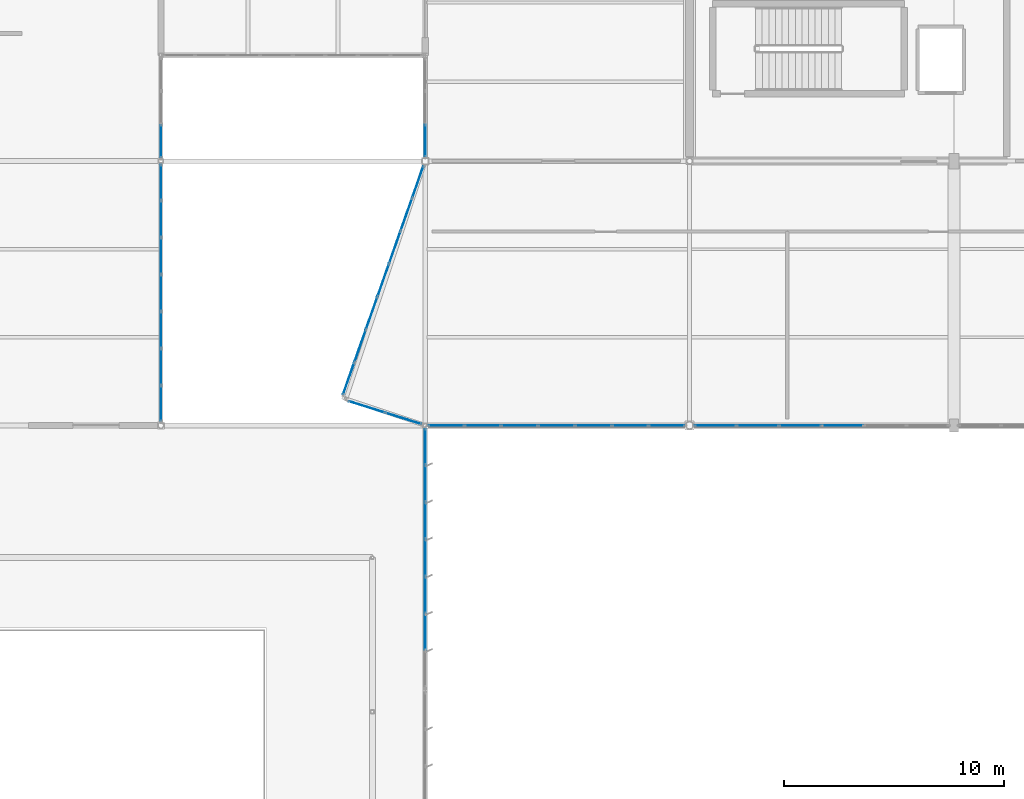
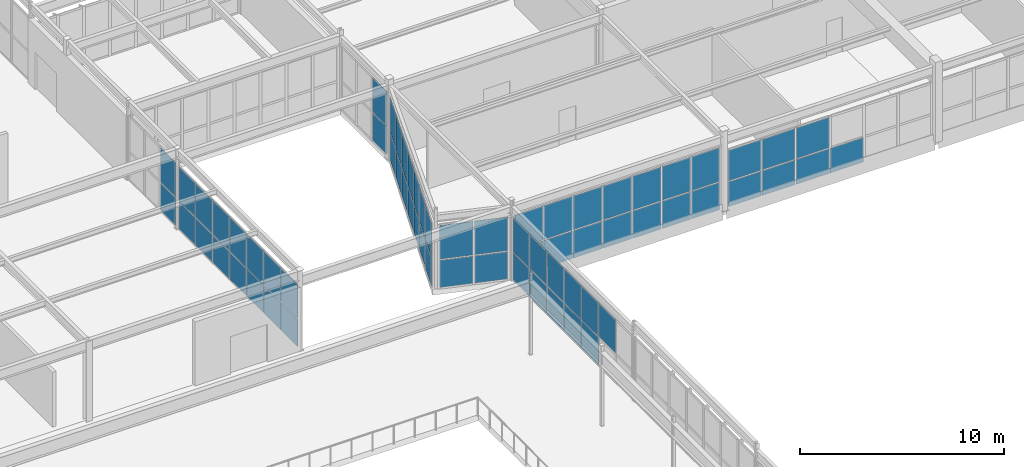
# One storey, part 124 of 186: 68 plates, 8 elements without a shape of their own.
"""IFC4 building model written with IfcOpenShell, lengths in metres."""

from ifc_helpers import new_model, si_unit, direction, frame, origin, origin_2d, place, context, subcontext, project, spatial, rectangle, extrude, material, layer, layer_set, type_object, element, aggregate, save


model = new_model("IFC4")

# Units and contexts
model_context = context("Model", 3, precision=1e-05, world=origin(), true_north=direction((0.0, 1.0)))
body_context = subcontext(model_context, "Body", "Model", "MODEL_VIEW")
ifc_project = project(units=[si_unit("LENGTHUNIT", "METRE"), si_unit("AREAUNIT", "SQUARE_METRE"), si_unit("VOLUMEUNIT", "CUBIC_METRE"), si_unit("PLANEANGLEUNIT", "RADIAN"), si_unit("MASSUNIT", "GRAM", prefix="KILO")], contexts=[model_context])

# Site, building, storey
site_placement = place(None, origin())
site = spatial("IfcSite", under=ifc_project, at=site_placement, CompositionType="ELEMENT")
building_placement = place(site_placement, origin())
building = spatial("IfcBuilding", under=site, at=building_placement, Name="Tarnwether General Hospital", CompositionType="ELEMENT")
storey_placement = place(building_placement, frame((0.0, 0.0, 9.60009765625)))
storey = spatial("IfcBuildingStorey", under=building, at=storey_placement, Name="L02", CompositionType="ELEMENT", Elevation=9.60009765625)

# Curtain wall, plates
ifc_material_1 = material(Name="Anodised aluminium", Category="aluminium")
ifc_layer_1 = layer(ifc_material_1, 0.179931640625)
ifc_layer_set_1 = layer_set([ifc_layer_1], Name="Anodised aluminium")
curtain_wall_type_1 = type_object("IfcCurtainWallType", Name="CW-06", PredefinedType="NOTDEFINED", material=ifc_layer_set_1)
curtain_wall_1_placement = place(storey_placement, origin())
curtain_wall_1 = element("IfcCurtainWall", 1, at=curtain_wall_1_placement, inside=storey, type_object=curtain_wall_type_1, Name="Curtain Wall CWG-L02-1440_815-0416", PredefinedType="NOTDEFINED")
ifc_material_2 = material(Name="Double glazed low-E glass", Category="glass")
ifc_layer_2 = layer(ifc_material_2, 0.028076171875)
ifc_layer_set_2 = layer_set([ifc_layer_2], Name="Double glazed low-E glass")
plate_type = type_object("IfcPlateType", Name="PT-CWP1", PredefinedType="CURTAIN_PANEL", material=ifc_layer_set_2)
plate_1_placement = place(storey_placement, frame((144.0, 80.63671875, 0.06005859375), z_axis=(0.0, 0.0, 1.0), x_axis=(0.0, -1.0, 0.0)))
plate_1 = element("IfcPlate", 2, at=plate_1_placement, type_object=plate_type, Name="CW-06 panel 1.1", PredefinedType="CURTAIN_PANEL", context=body_context, shape_type="SweptSolid", body=[
    extrude(rectangle(XDim=1.5966796875, YDim=0.028076171875, at=origin_2d()), origin(), (0.0, 0.0, 1.0), 1.632568359375),
])
plate_2_placement = place(storey_placement, frame((144.0, 80.63671875, 1.75244140625), z_axis=(0.0, 0.0, 1.0), x_axis=(0.0, -1.0, 0.0)))
plate_2 = element("IfcPlate", 3, at=plate_2_placement, type_object=plate_type, Name="CW-06 panel 1.2", PredefinedType="CURTAIN_PANEL", context=body_context, shape_type="SweptSolid", body=[
    extrude(rectangle(XDim=1.5966796875, YDim=0.028076171875, at=origin_2d()), origin(), (0.0, 0.0, 1.0), 2.015380859375),
])
plate_3_placement = place(storey_placement, frame((144.0, 78.965087890625, 0.06005859375), z_axis=(0.0, 0.0, 1.0), x_axis=(0.0, -1.0, 0.0)))
plate_3 = element("IfcPlate", 4, at=plate_3_placement, type_object=plate_type, Name="CW-06 panel 2.1", PredefinedType="CURTAIN_PANEL", context=body_context, shape_type="SweptSolid", body=[
    extrude(rectangle(XDim=1.62646484375, YDim=0.028076171875, at=origin_2d()), origin(), (0.0, 0.0, 1.0), 1.632568359375),
])
plate_4_placement = place(storey_placement, frame((144.0, 78.965087890625, 1.75244140625), z_axis=(0.0, 0.0, 1.0), x_axis=(0.0, -1.0, 0.0)))
plate_4 = element("IfcPlate", 5, at=plate_4_placement, type_object=plate_type, Name="CW-06 panel 2.2", PredefinedType="CURTAIN_PANEL", context=body_context, shape_type="SweptSolid", body=[
    extrude(rectangle(XDim=1.62646484375, YDim=0.028076171875, at=origin_2d()), origin(), (0.0, 0.0, 1.0), 2.015380859375),
])
plate_5_placement = place(storey_placement, frame((144.0, 77.278564453125, 0.06005859375), z_axis=(0.0, 0.0, 1.0), x_axis=(0.0, -1.0, 0.0)))
plate_5 = element("IfcPlate", 6, at=plate_5_placement, type_object=plate_type, Name="CW-06 panel 3.1", PredefinedType="CURTAIN_PANEL", context=body_context, shape_type="SweptSolid", body=[
    extrude(rectangle(XDim=1.62646484375, YDim=0.028076171875, at=origin_2d()), origin(), (0.0, 0.0, 1.0), 1.632568359375),
])
plate_6_placement = place(storey_placement, frame((144.0, 77.278564453125, 1.75244140625), z_axis=(0.0, 0.0, 1.0), x_axis=(0.0, -1.0, 0.0)))
plate_6 = element("IfcPlate", 7, at=plate_6_placement, type_object=plate_type, Name="CW-06 panel 3.2", PredefinedType="CURTAIN_PANEL", context=body_context, shape_type="SweptSolid", body=[
    extrude(rectangle(XDim=1.62646484375, YDim=0.028076171875, at=origin_2d()), origin(), (0.0, 0.0, 1.0), 2.015380859375),
])
plate_7_placement = place(storey_placement, frame((144.0, 75.592041015625, 0.06005859375), z_axis=(0.0, 0.0, 1.0), x_axis=(0.0, -1.0, 0.0)))
plate_7 = element("IfcPlate", 8, at=plate_7_placement, type_object=plate_type, Name="CW-06 panel 4.1", PredefinedType="CURTAIN_PANEL", context=body_context, shape_type="SweptSolid", body=[
    extrude(rectangle(XDim=1.62646484375, YDim=0.028076171875, at=origin_2d()), origin(), (0.0, 0.0, 1.0), 1.632568359375),
])
plate_8_placement = place(storey_placement, frame((144.0, 75.592041015625, 1.75244140625), z_axis=(0.0, 0.0, 1.0), x_axis=(0.0, -1.0, 0.0)))
plate_8 = element("IfcPlate", 9, at=plate_8_placement, type_object=plate_type, Name="CW-06 panel 4.2", PredefinedType="CURTAIN_PANEL", context=body_context, shape_type="SweptSolid", body=[
    extrude(rectangle(XDim=1.62646484375, YDim=0.028076171875, at=origin_2d()), origin(), (0.0, 0.0, 1.0), 2.015380859375),
])
plate_9_placement = place(storey_placement, frame((144.0, 73.905517578125, 0.06005859375), z_axis=(0.0, 0.0, 1.0), x_axis=(0.0, -1.0, 0.0)))
plate_9 = element("IfcPlate", 10, at=plate_9_placement, type_object=plate_type, Name="CW-06 panel 5.1", PredefinedType="CURTAIN_PANEL", context=body_context, shape_type="SweptSolid", body=[
    extrude(rectangle(XDim=1.62646484375, YDim=0.028076171875, at=origin_2d()), origin(), (0.0, 0.0, 1.0), 1.632568359375),
])
plate_10_placement = place(storey_placement, frame((144.0, 73.905517578125, 1.75244140625), z_axis=(0.0, 0.0, 1.0), x_axis=(0.0, -1.0, 0.0)))
plate_10 = element("IfcPlate", 11, at=plate_10_placement, type_object=plate_type, Name="CW-06 panel 5.2", PredefinedType="CURTAIN_PANEL", context=body_context, shape_type="SweptSolid", body=[
    extrude(rectangle(XDim=1.62646484375, YDim=0.028076171875, at=origin_2d()), origin(), (0.0, 0.0, 1.0), 2.015380859375),
])
plate_11_placement = place(storey_placement, frame((144.0, 72.21875, 1.75244140625), z_axis=(0.0, 0.0, 1.0), x_axis=(0.0, -1.0, 0.0)))
plate_11 = element("IfcPlate", 12, at=plate_11_placement, type_object=plate_type, Name="CW-06 panel 6.2", PredefinedType="CURTAIN_PANEL", context=body_context, shape_type="SweptSolid", body=[
    extrude(rectangle(XDim=1.62646484375, YDim=0.028076171875, at=origin_2d()), origin(), (0.0, 0.0, 1.0), 2.015380859375),
])
aggregate(curtain_wall_1, [plate_1, plate_2, plate_3, plate_4, plate_5, plate_6, plate_7, plate_8, plate_9, plate_10, plate_11])

ifc_material_3 = material(Name="Anodised aluminium", Category="aluminium")
ifc_layer_3 = layer(ifc_material_3, 0.159912109375)
ifc_layer_set_3 = layer_set([ifc_layer_3], Name="Anodised aluminium")
curtain_wall_type_2 = type_object("IfcCurtainWallType", Name="CW-15", PredefinedType="NOTDEFINED", material=ifc_layer_set_3)
curtain_wall_2_placement = place(storey_placement, origin())
curtain_wall_2 = element("IfcCurtainWall", 13, at=curtain_wall_2_placement, inside=storey, type_object=curtain_wall_type_2, Name="Curtain Wall CWG-L02-1320_983-0443", PredefinedType="NOTDEFINED")
plate_12_placement = place(storey_placement, frame((132.0, 94.49951171875, 0.059814453125), z_axis=(0.0, 0.0, 1.0), x_axis=(0.0, -1.0, 0.0)))
plate_12 = element("IfcPlate", 14, at=plate_12_placement, type_object=plate_type, Name="CW-15 panel 3.1", PredefinedType="CURTAIN_PANEL", context=body_context, shape_type="SweptSolid", body=[
    extrude(rectangle(XDim=1.443115234375, YDim=0.028076171875, at=origin_2d()), origin(), (0.0, 0.0, 1.0), 1.6484375),
])
plate_13_placement = place(storey_placement, frame((132.0, 94.49951171875, 1.768310546875), z_axis=(0.0, 0.0, 1.0), x_axis=(0.0, -1.0, 0.0)))
plate_13 = element("IfcPlate", 15, at=plate_13_placement, type_object=plate_type, Name="CW-15 panel 3.2", PredefinedType="CURTAIN_PANEL", context=body_context, shape_type="SweptSolid", body=[
    extrude(rectangle(XDim=1.443115234375, YDim=0.028076171875, at=origin_2d()), origin(), (0.0, 0.0, 1.0), 2.03466796875),
])
aggregate(curtain_wall_2, [plate_12, plate_13])

curtain_wall_3_placement = place(storey_placement, origin())
curtain_wall_3 = element("IfcCurtainWall", 16, at=curtain_wall_3_placement, inside=storey, type_object=curtain_wall_type_2, Name="Curtain Wall CWG-L02-1320_935-0444", PredefinedType="NOTDEFINED")
plate_14_placement = place(storey_placement, frame((132.0, 92.628662109375, 0.06005859375), z_axis=(0.0, 0.0, 1.0), x_axis=(0.0, -1.0, 0.0)))
plate_14 = element("IfcPlate", 17, at=plate_14_placement, type_object=plate_type, Name="CW-15 panel 1.1", PredefinedType="CURTAIN_PANEL", context=body_context, shape_type="SweptSolid", body=[
    extrude(rectangle(XDim=1.586669921875, YDim=0.028076171875, at=origin_2d()), origin(), (0.0, 0.0, 1.0), 1.632568359375),
])
plate_15_placement = place(storey_placement, frame((132.0, 92.628662109375, 1.75244140625), z_axis=(0.0, 0.0, 1.0), x_axis=(0.0, -1.0, 0.0)))
plate_15 = element("IfcPlate", 18, at=plate_15_placement, type_object=plate_type, Name="CW-15 panel 1.2", PredefinedType="CURTAIN_PANEL", context=body_context, shape_type="SweptSolid", body=[
    extrude(rectangle(XDim=1.586669921875, YDim=0.028076171875, at=origin_2d()), origin(), (0.0, 0.0, 1.0), 2.015380859375),
])
plate_16_placement = place(storey_placement, frame((132.0, 90.967041015625, 0.06005859375), z_axis=(0.0, 0.0, 1.0), x_axis=(0.0, -1.0, 0.0)))
plate_16 = element("IfcPlate", 19, at=plate_16_placement, type_object=plate_type, Name="CW-15 panel 2.1", PredefinedType="CURTAIN_PANEL", context=body_context, shape_type="SweptSolid", body=[
    extrude(rectangle(XDim=1.61669921875, YDim=0.028076171875, at=origin_2d()), origin(), (0.0, 0.0, 1.0), 1.632568359375),
])
plate_17_placement = place(storey_placement, frame((132.0, 90.967041015625, 1.75244140625), z_axis=(0.0, 0.0, 1.0), x_axis=(0.0, -1.0, 0.0)))
plate_17 = element("IfcPlate", 20, at=plate_17_placement, type_object=plate_type, Name="CW-15 panel 2.2", PredefinedType="CURTAIN_PANEL", context=body_context, shape_type="SweptSolid", body=[
    extrude(rectangle(XDim=1.61669921875, YDim=0.028076171875, at=origin_2d()), origin(), (0.0, 0.0, 1.0), 2.015380859375),
])
plate_18_placement = place(storey_placement, frame((132.0, 89.290283203125, 0.06005859375), z_axis=(0.0, 0.0, 1.0), x_axis=(0.0, -1.0, 0.0)))
plate_18 = element("IfcPlate", 21, at=plate_18_placement, type_object=plate_type, Name="CW-15 panel 3.1", PredefinedType="CURTAIN_PANEL", context=body_context, shape_type="SweptSolid", body=[
    extrude(rectangle(XDim=1.61669921875, YDim=0.028076171875, at=origin_2d()), origin(), (0.0, 0.0, 1.0), 1.632568359375),
])
plate_19_placement = place(storey_placement, frame((132.0, 89.290283203125, 1.75244140625), z_axis=(0.0, 0.0, 1.0), x_axis=(0.0, -1.0, 0.0)))
plate_19 = element("IfcPlate", 22, at=plate_19_placement, type_object=plate_type, Name="CW-15 panel 3.2", PredefinedType="CURTAIN_PANEL", context=body_context, shape_type="SweptSolid", body=[
    extrude(rectangle(XDim=1.61669921875, YDim=0.028076171875, at=origin_2d()), origin(), (0.0, 0.0, 1.0), 2.015380859375),
])
plate_20_placement = place(storey_placement, frame((132.0, 87.613525390625, 0.06005859375), z_axis=(0.0, 0.0, 1.0), x_axis=(0.0, -1.0, 0.0)))
plate_20 = element("IfcPlate", 23, at=plate_20_placement, type_object=plate_type, Name="CW-15 panel 4.1", PredefinedType="CURTAIN_PANEL", context=body_context, shape_type="SweptSolid", body=[
    extrude(rectangle(XDim=1.61669921875, YDim=0.028076171875, at=origin_2d()), origin(), (0.0, 0.0, 1.0), 1.632568359375),
])
plate_21_placement = place(storey_placement, frame((132.0, 87.613525390625, 1.75244140625), z_axis=(0.0, 0.0, 1.0), x_axis=(0.0, -1.0, 0.0)))
plate_21 = element("IfcPlate", 24, at=plate_21_placement, type_object=plate_type, Name="CW-15 panel 4.2", PredefinedType="CURTAIN_PANEL", context=body_context, shape_type="SweptSolid", body=[
    extrude(rectangle(XDim=1.61669921875, YDim=0.028076171875, at=origin_2d()), origin(), (0.0, 0.0, 1.0), 2.015380859375),
])
plate_22_placement = place(storey_placement, frame((132.0, 85.936767578125, 0.06005859375), z_axis=(0.0, 0.0, 1.0), x_axis=(0.0, -1.0, 0.0)))
plate_22 = element("IfcPlate", 25, at=plate_22_placement, type_object=plate_type, Name="CW-15 panel 5.1", PredefinedType="CURTAIN_PANEL", context=body_context, shape_type="SweptSolid", body=[
    extrude(rectangle(XDim=1.61669921875, YDim=0.028076171875, at=origin_2d()), origin(), (0.0, 0.0, 1.0), 1.632568359375),
])
plate_23_placement = place(storey_placement, frame((132.0, 85.936767578125, 1.75244140625), z_axis=(0.0, 0.0, 1.0), x_axis=(0.0, -1.0, 0.0)))
plate_23 = element("IfcPlate", 26, at=plate_23_placement, type_object=plate_type, Name="CW-15 panel 5.2", PredefinedType="CURTAIN_PANEL", context=body_context, shape_type="SweptSolid", body=[
    extrude(rectangle(XDim=1.61669921875, YDim=0.028076171875, at=origin_2d()), origin(), (0.0, 0.0, 1.0), 2.015380859375),
])
plate_24_placement = place(storey_placement, frame((132.0, 84.260009765625, 0.06005859375), z_axis=(0.0, 0.0, 1.0), x_axis=(0.0, -1.0, 0.0)))
plate_24 = element("IfcPlate", 27, at=plate_24_placement, type_object=plate_type, Name="CW-15 panel 6.1", PredefinedType="CURTAIN_PANEL", context=body_context, shape_type="SweptSolid", body=[
    extrude(rectangle(XDim=1.61669921875, YDim=0.028076171875, at=origin_2d()), origin(), (0.0, 0.0, 1.0), 1.632568359375),
])
plate_25_placement = place(storey_placement, frame((132.0, 84.260009765625, 1.75244140625), z_axis=(0.0, 0.0, 1.0), x_axis=(0.0, -1.0, 0.0)))
plate_25 = element("IfcPlate", 28, at=plate_25_placement, type_object=plate_type, Name="CW-15 panel 6.2", PredefinedType="CURTAIN_PANEL", context=body_context, shape_type="SweptSolid", body=[
    extrude(rectangle(XDim=1.61669921875, YDim=0.028076171875, at=origin_2d()), origin(), (0.0, 0.0, 1.0), 2.015380859375),
])
plate_26_placement = place(storey_placement, frame((132.0, 82.598388671875, 0.06005859375), z_axis=(0.0, 0.0, 1.0), x_axis=(0.0, -1.0, 0.0)))
plate_26 = element("IfcPlate", 29, at=plate_26_placement, type_object=plate_type, Name="CW-15 panel 7.1", PredefinedType="CURTAIN_PANEL", context=body_context, shape_type="SweptSolid", body=[
    extrude(rectangle(XDim=1.586669921875, YDim=0.028076171875, at=origin_2d()), origin(), (0.0, 0.0, 1.0), 1.632568359375),
])
plate_27_placement = place(storey_placement, frame((132.0, 82.598388671875, 1.75244140625), z_axis=(0.0, 0.0, 1.0), x_axis=(0.0, -1.0, 0.0)))
plate_27 = element("IfcPlate", 30, at=plate_27_placement, type_object=plate_type, Name="CW-15 panel 7.2", PredefinedType="CURTAIN_PANEL", context=body_context, shape_type="SweptSolid", body=[
    extrude(rectangle(XDim=1.586669921875, YDim=0.028076171875, at=origin_2d()), origin(), (0.0, 0.0, 1.0), 2.015380859375),
])
aggregate(curtain_wall_3, [plate_14, plate_15, plate_16, plate_17, plate_18, plate_19, plate_20, plate_21, plate_22, plate_23, plate_24, plate_25, plate_26, plate_27])

curtain_wall_4_placement = place(storey_placement, origin())
curtain_wall_4 = element("IfcCurtainWall", 31, at=curtain_wall_4_placement, inside=storey, type_object=curtain_wall_type_2, Name="Curtain Wall CWG-L02-1439_816-0445", PredefinedType="NOTDEFINED")
plate_28_placement = place(storey_placement, frame((143.01318359375, 81.91162109375, 0.06005859375), z_axis=(0.0, 0.0, 1.0), x_axis=(-0.953565678855, 0.301185152538, 0.0)))
plate_28 = element("IfcPlate", 32, at=plate_28_placement, type_object=plate_type, Name="CW-15 panel 1.1", PredefinedType="CURTAIN_PANEL", context=body_context, shape_type="SweptSolid", body=[
    extrude(rectangle(XDim=1.689697265625, YDim=0.028076171875, at=origin_2d()), origin(), (0.0, 0.0, 1.0), 1.632568359375),
])
plate_29_placement = place(storey_placement, frame((143.01318359375, 81.91162109375, 1.75244140625), z_axis=(0.0, 0.0, 1.0), x_axis=(-0.953565678855, 0.301185152538, 0.0)))
plate_29 = element("IfcPlate", 33, at=plate_29_placement, type_object=plate_type, Name="CW-15 panel 1.2", PredefinedType="CURTAIN_PANEL", context=body_context, shape_type="SweptSolid", body=[
    extrude(rectangle(XDim=1.689697265625, YDim=0.028076171875, at=origin_2d()), origin(), (0.0, 0.0, 1.0), 2.015380859375),
])
plate_30_placement = place(storey_placement, frame((141.3447265625, 82.4384765625, 0.06005859375), z_axis=(0.0, 0.0, 1.0), x_axis=(-0.953565678855, 0.301185152538, 0.0)))
plate_30 = element("IfcPlate", 34, at=plate_30_placement, type_object=plate_type, Name="CW-15 panel 2.1", PredefinedType="CURTAIN_PANEL", context=body_context, shape_type="SweptSolid", body=[
    extrude(rectangle(XDim=1.689697265625, YDim=0.028076171875, at=origin_2d()), origin(), (0.0, 0.0, 1.0), 1.632568359375),
])
plate_31_placement = place(storey_placement, frame((141.3447265625, 82.4384765625, 1.75244140625), z_axis=(0.0, 0.0, 1.0), x_axis=(-0.953565678855, 0.301185152538, 0.0)))
plate_31 = element("IfcPlate", 35, at=plate_31_placement, type_object=plate_type, Name="CW-15 panel 2.2", PredefinedType="CURTAIN_PANEL", context=body_context, shape_type="SweptSolid", body=[
    extrude(rectangle(XDim=1.689697265625, YDim=0.028076171875, at=origin_2d()), origin(), (0.0, 0.0, 1.0), 2.015380859375),
])
aggregate(curtain_wall_4, [plate_28, plate_29, plate_30, plate_31])

curtain_wall_5_placement = place(storey_placement, origin())
curtain_wall_5 = element("IfcCurtainWall", 36, at=curtain_wall_5_placement, inside=storey, type_object=curtain_wall_type_2, Name="Curtain Wall CWG-L02-1403_830-0446", PredefinedType="NOTDEFINED")
plate_32_placement = place(storey_placement, frame((140.525634765625, 83.724365234375, 0.06005859375), z_axis=(0.0, 0.0, 1.0), x_axis=(0.33189430924, 0.943316578617, 0.0)))
plate_32 = element("IfcPlate", 37, at=plate_32_placement, type_object=plate_type, Name="CW-15 panel 1.1", PredefinedType="CURTAIN_PANEL", context=body_context, shape_type="SweptSolid", body=[
    extrude(rectangle(XDim=1.4921875, YDim=0.028076171875, at=origin_2d()), origin(), (0.0, 0.0, 1.0), 1.663818359375),
])
plate_33_placement = place(storey_placement, frame((140.525634765625, 83.724365234375, 1.78369140625), z_axis=(0.0, 0.0, 1.0), x_axis=(0.33189430924, 0.943316578617, 0.0)))
plate_33 = element("IfcPlate", 38, at=plate_33_placement, type_object=plate_type, Name="CW-15 panel 1.2", PredefinedType="CURTAIN_PANEL", context=body_context, shape_type="SweptSolid", body=[
    extrude(rectangle(XDim=1.4921875, YDim=0.028076171875, at=origin_2d()), origin(), (0.0, 0.0, 1.0), 2.05322265625),
])
plate_34_placement = place(storey_placement, frame((141.045654296875, 85.202880859375, 0.06005859375), z_axis=(0.0, 0.0, 1.0), x_axis=(0.33189430924, 0.943316578617, 0.0)))
plate_34 = element("IfcPlate", 39, at=plate_34_placement, type_object=plate_type, Name="CW-15 panel 2.1", PredefinedType="CURTAIN_PANEL", context=body_context, shape_type="SweptSolid", body=[
    extrude(rectangle(XDim=1.522216796875, YDim=0.028076171875, at=origin_2d()), origin(), (0.0, 0.0, 1.0), 1.663818359375),
])
plate_35_placement = place(storey_placement, frame((141.045654296875, 85.202880859375, 1.78369140625), z_axis=(0.0, 0.0, 1.0), x_axis=(0.33189430924, 0.943316578617, 0.0)))
plate_35 = element("IfcPlate", 40, at=plate_35_placement, type_object=plate_type, Name="CW-15 panel 2.2", PredefinedType="CURTAIN_PANEL", context=body_context, shape_type="SweptSolid", body=[
    extrude(rectangle(XDim=1.522216796875, YDim=0.028076171875, at=origin_2d()), origin(), (0.0, 0.0, 1.0), 2.05322265625),
])
plate_36_placement = place(storey_placement, frame((141.57080078125, 86.6953125, 0.06005859375), z_axis=(0.0, 0.0, 1.0), x_axis=(0.33189430924, 0.943316578617, 0.0)))
plate_36 = element("IfcPlate", 41, at=plate_36_placement, type_object=plate_type, Name="CW-15 panel 3.1", PredefinedType="CURTAIN_PANEL", context=body_context, shape_type="SweptSolid", body=[
    extrude(rectangle(XDim=1.522216796875, YDim=0.028076171875, at=origin_2d()), origin(), (0.0, 0.0, 1.0), 1.663818359375),
])
plate_37_placement = place(storey_placement, frame((141.57080078125, 86.6953125, 1.78369140625), z_axis=(0.0, 0.0, 1.0), x_axis=(0.33189430924, 0.943316578617, 0.0)))
plate_37 = element("IfcPlate", 42, at=plate_37_placement, type_object=plate_type, Name="CW-15 panel 3.2", PredefinedType="CURTAIN_PANEL", context=body_context, shape_type="SweptSolid", body=[
    extrude(rectangle(XDim=1.522216796875, YDim=0.028076171875, at=origin_2d()), origin(), (0.0, 0.0, 1.0), 2.05322265625),
])
plate_38_placement = place(storey_placement, frame((142.095947265625, 88.18798828125, 0.06005859375), z_axis=(0.0, 0.0, 1.0), x_axis=(0.33189430924, 0.943316578617, 0.0)))
plate_38 = element("IfcPlate", 43, at=plate_38_placement, type_object=plate_type, Name="CW-15 panel 4.1", PredefinedType="CURTAIN_PANEL", context=body_context, shape_type="SweptSolid", body=[
    extrude(rectangle(XDim=1.522216796875, YDim=0.028076171875, at=origin_2d()), origin(), (0.0, 0.0, 1.0), 1.663818359375),
])
plate_39_placement = place(storey_placement, frame((142.095947265625, 88.18798828125, 1.78369140625), z_axis=(0.0, 0.0, 1.0), x_axis=(0.33189430924, 0.943316578617, 0.0)))
plate_39 = element("IfcPlate", 44, at=plate_39_placement, type_object=plate_type, Name="CW-15 panel 4.2", PredefinedType="CURTAIN_PANEL", context=body_context, shape_type="SweptSolid", body=[
    extrude(rectangle(XDim=1.522216796875, YDim=0.028076171875, at=origin_2d()), origin(), (0.0, 0.0, 1.0), 2.05322265625),
])
plate_40_placement = place(storey_placement, frame((142.62109375, 89.6806640625, 0.06005859375), z_axis=(0.0, 0.0, 1.0), x_axis=(0.33189430924, 0.943316578617, 0.0)))
plate_40 = element("IfcPlate", 45, at=plate_40_placement, type_object=plate_type, Name="CW-15 panel 5.1", PredefinedType="CURTAIN_PANEL", context=body_context, shape_type="SweptSolid", body=[
    extrude(rectangle(XDim=1.522216796875, YDim=0.028076171875, at=origin_2d()), origin(), (0.0, 0.0, 1.0), 1.663818359375),
])
plate_41_placement = place(storey_placement, frame((142.62109375, 89.6806640625, 1.78369140625), z_axis=(0.0, 0.0, 1.0), x_axis=(0.33189430924, 0.943316578617, 0.0)))
plate_41 = element("IfcPlate", 46, at=plate_41_placement, type_object=plate_type, Name="CW-15 panel 5.2", PredefinedType="CURTAIN_PANEL", context=body_context, shape_type="SweptSolid", body=[
    extrude(rectangle(XDim=1.522216796875, YDim=0.028076171875, at=origin_2d()), origin(), (0.0, 0.0, 1.0), 2.05322265625),
])
plate_42_placement = place(storey_placement, frame((143.146240234375, 91.173095703125, 0.06005859375), z_axis=(0.0, 0.0, 1.0), x_axis=(0.33189430924, 0.943316578617, 0.0)))
plate_42 = element("IfcPlate", 47, at=plate_42_placement, type_object=plate_type, Name="CW-15 panel 6.1", PredefinedType="CURTAIN_PANEL", context=body_context, shape_type="SweptSolid", body=[
    extrude(rectangle(XDim=1.522216796875, YDim=0.028076171875, at=origin_2d()), origin(), (0.0, 0.0, 1.0), 1.663818359375),
])
plate_43_placement = place(storey_placement, frame((143.146240234375, 91.173095703125, 1.78369140625), z_axis=(0.0, 0.0, 1.0), x_axis=(0.33189430924, 0.943316578617, 0.0)))
plate_43 = element("IfcPlate", 48, at=plate_43_placement, type_object=plate_type, Name="CW-15 panel 6.2", PredefinedType="CURTAIN_PANEL", context=body_context, shape_type="SweptSolid", body=[
    extrude(rectangle(XDim=1.522216796875, YDim=0.028076171875, at=origin_2d()), origin(), (0.0, 0.0, 1.0), 2.05322265625),
])
plate_44_placement = place(storey_placement, frame((143.66650390625, 92.651611328125, 0.06005859375), z_axis=(0.0, 0.0, 1.0), x_axis=(0.33189430924, 0.943316578617, 0.0)))
plate_44 = element("IfcPlate", 49, at=plate_44_placement, type_object=plate_type, Name="CW-15 panel 7.1", PredefinedType="CURTAIN_PANEL", context=body_context, shape_type="SweptSolid", body=[
    extrude(rectangle(XDim=1.4921875, YDim=0.028076171875, at=origin_2d()), origin(), (0.0, 0.0, 1.0), 1.663818359375),
])
plate_45_placement = place(storey_placement, frame((143.66650390625, 92.651611328125, 1.78369140625), z_axis=(0.0, 0.0, 1.0), x_axis=(0.33189430924, 0.943316578617, 0.0)))
plate_45 = element("IfcPlate", 50, at=plate_45_placement, type_object=plate_type, Name="CW-15 panel 7.2", PredefinedType="CURTAIN_PANEL", context=body_context, shape_type="SweptSolid", body=[
    extrude(rectangle(XDim=1.4921875, YDim=0.028076171875, at=origin_2d()), origin(), (0.0, 0.0, 1.0), 2.05322265625),
])
aggregate(curtain_wall_5, [plate_32, plate_33, plate_34, plate_35, plate_36, plate_37, plate_38, plate_39, plate_40, plate_41, plate_42, plate_43, plate_44, plate_45])

curtain_wall_6_placement = place(storey_placement, origin())
curtain_wall_6 = element("IfcCurtainWall", 51, at=curtain_wall_6_placement, inside=storey, type_object=curtain_wall_type_2, Name="Curtain Wall CWG-L02-1440_938-0447", PredefinedType="NOTDEFINED")
plate_46_placement = place(storey_placement, frame((144.0, 94.52783203125, 0.059814453125), z_axis=(0.0, 0.0, 1.0), x_axis=(0.0, 1.0, 0.0)))
plate_46 = element("IfcPlate", 52, at=plate_46_placement, type_object=plate_type, Name="CW-15 panel 1.1", PredefinedType="CURTAIN_PANEL", context=body_context, shape_type="SweptSolid", body=[
    extrude(rectangle(XDim=1.419677734375, YDim=0.028076171875, at=origin_2d()), origin(), (0.0, 0.0, 1.0), 1.6484375),
])
plate_47_placement = place(storey_placement, frame((144.0, 94.52783203125, 1.768310546875), z_axis=(0.0, 0.0, 1.0), x_axis=(0.0, 1.0, 0.0)))
plate_47 = element("IfcPlate", 53, at=plate_47_placement, type_object=plate_type, Name="CW-15 panel 1.2", PredefinedType="CURTAIN_PANEL", context=body_context, shape_type="SweptSolid", body=[
    extrude(rectangle(XDim=1.419677734375, YDim=0.028076171875, at=origin_2d()), origin(), (0.0, 0.0, 1.0), 2.03466796875),
])
aggregate(curtain_wall_6, [plate_46, plate_47])

ifc_material_4 = material(Name="Anodised aluminium", Category="aluminium")
ifc_layer_4 = layer(ifc_material_4, 0.159912109375)
ifc_layer_set_4 = layer_set([ifc_layer_4], Name="Anodised aluminium")
curtain_wall_type_3 = type_object("IfcCurtainWallType", Name="CW-17", PredefinedType="NOTDEFINED", material=ifc_layer_set_4)
curtain_wall_7_placement = place(storey_placement, origin())
curtain_wall_7 = element("IfcCurtainWall", 54, at=curtain_wall_7_placement, inside=storey, type_object=curtain_wall_type_3, Name="Curtain Wall CWG-L02-1678_816-0468", PredefinedType="NOTDEFINED")
plate_48_placement = place(storey_placement, frame((162.9560546875, 81.60009765625, 0.059814453125), z_axis=(0.0, 0.0, 1.0), x_axis=(-1.0, 0.0, 0.0)))
plate_48 = element("IfcPlate", 55, at=plate_48_placement, type_object=plate_type, Name="CW-17 panel 3.1", PredefinedType="CURTAIN_PANEL", context=body_context, shape_type="SweptSolid", body=[
    extrude(rectangle(XDim=1.874267578125, YDim=0.028076171875, at=origin_2d()), origin(), (0.0, 0.0, 1.0), 1.47607421875),
])
plate_49_placement = place(storey_placement, frame((161.021728515625, 81.60009765625, 0.059814453125), z_axis=(0.0, 0.0, 1.0), x_axis=(-1.0, 0.0, 0.0)))
plate_49 = element("IfcPlate", 56, at=plate_49_placement, type_object=plate_type, Name="CW-17 panel 4.1", PredefinedType="CURTAIN_PANEL", context=body_context, shape_type="SweptSolid", body=[
    extrude(rectangle(XDim=1.874267578125, YDim=0.028076171875, at=origin_2d()), origin(), (0.0, 0.0, 1.0), 1.47607421875),
])
plate_50_placement = place(storey_placement, frame((161.021728515625, 81.60009765625, 1.595703125), z_axis=(0.0, 0.0, 1.0), x_axis=(-1.0, 0.0, 0.0)))
plate_50 = element("IfcPlate", 57, at=plate_50_placement, type_object=plate_type, Name="CW-17 panel 4.2", PredefinedType="CURTAIN_PANEL", context=body_context, shape_type="SweptSolid", body=[
    extrude(rectangle(XDim=1.874267578125, YDim=0.028076171875, at=origin_2d()), origin(), (0.0, 0.0, 1.0), 1.823974609375),
])
plate_51_placement = place(storey_placement, frame((159.08740234375, 81.60009765625, 0.059814453125), z_axis=(0.0, 0.0, 1.0), x_axis=(-1.0, 0.0, 0.0)))
plate_51 = element("IfcPlate", 58, at=plate_51_placement, type_object=plate_type, Name="CW-17 panel 5.1", PredefinedType="CURTAIN_PANEL", context=body_context, shape_type="SweptSolid", body=[
    extrude(rectangle(XDim=1.874267578125, YDim=0.028076171875, at=origin_2d()), origin(), (0.0, 0.0, 1.0), 1.47607421875),
])
plate_52_placement = place(storey_placement, frame((159.08740234375, 81.60009765625, 1.595703125), z_axis=(0.0, 0.0, 1.0), x_axis=(-1.0, 0.0, 0.0)))
plate_52 = element("IfcPlate", 59, at=plate_52_placement, type_object=plate_type, Name="CW-17 panel 5.2", PredefinedType="CURTAIN_PANEL", context=body_context, shape_type="SweptSolid", body=[
    extrude(rectangle(XDim=1.874267578125, YDim=0.028076171875, at=origin_2d()), origin(), (0.0, 0.0, 1.0), 1.823974609375),
])
plate_53_placement = place(storey_placement, frame((157.168212890625, 81.60009765625, 0.059814453125), z_axis=(0.0, 0.0, 1.0), x_axis=(-1.0, 0.0, 0.0)))
plate_53 = element("IfcPlate", 60, at=plate_53_placement, type_object=plate_type, Name="CW-17 panel 6.1", PredefinedType="CURTAIN_PANEL", context=body_context, shape_type="SweptSolid", body=[
    extrude(rectangle(XDim=1.84423828125, YDim=0.028076171875, at=origin_2d()), origin(), (0.0, 0.0, 1.0), 1.47607421875),
])
plate_54_placement = place(storey_placement, frame((157.168212890625, 81.60009765625, 1.595703125), z_axis=(0.0, 0.0, 1.0), x_axis=(-1.0, 0.0, 0.0)))
plate_54 = element("IfcPlate", 61, at=plate_54_placement, type_object=plate_type, Name="CW-17 panel 6.2", PredefinedType="CURTAIN_PANEL", context=body_context, shape_type="SweptSolid", body=[
    extrude(rectangle(XDim=1.84423828125, YDim=0.028076171875, at=origin_2d()), origin(), (0.0, 0.0, 1.0), 1.823974609375),
])
aggregate(curtain_wall_7, [plate_48, plate_49, plate_50, plate_51, plate_52, plate_53, plate_54])

curtain_wall_8_placement = place(storey_placement, origin())
curtain_wall_8 = element("IfcCurtainWall", 62, at=curtain_wall_8_placement, inside=storey, type_object=curtain_wall_type_3, Name="Curtain Wall CWG-L02-1558_816-0469", PredefinedType="NOTDEFINED")
plate_55_placement = place(storey_placement, frame((154.962646484375, 81.60009765625, 0.06005859375), z_axis=(0.0, 0.0, 1.0), x_axis=(-1.0, 0.0, 0.0)))
plate_55 = element("IfcPlate", 63, at=plate_55_placement, type_object=plate_type, Name="CW-17 panel 1.1", PredefinedType="CURTAIN_PANEL", context=body_context, shape_type="SweptSolid", body=[
    extrude(rectangle(XDim=1.582763671875, YDim=0.028076171875, at=origin_2d()), origin(), (0.0, 0.0, 1.0), 1.632568359375),
])
plate_56_placement = place(storey_placement, frame((154.962646484375, 81.60009765625, 1.75244140625), z_axis=(0.0, 0.0, 1.0), x_axis=(-1.0, 0.0, 0.0)))
plate_56 = element("IfcPlate", 64, at=plate_56_placement, type_object=plate_type, Name="CW-17 panel 1.2", PredefinedType="CURTAIN_PANEL", context=body_context, shape_type="SweptSolid", body=[
    extrude(rectangle(XDim=1.582763671875, YDim=0.028076171875, at=origin_2d()), origin(), (0.0, 0.0, 1.0), 2.015380859375),
])
plate_57_placement = place(storey_placement, frame((153.304931640625, 81.60009765625, 0.06005859375), z_axis=(0.0, 0.0, 1.0), x_axis=(-1.0, 0.0, 0.0)))
plate_57 = element("IfcPlate", 65, at=plate_57_placement, type_object=plate_type, Name="CW-17 panel 2.1", PredefinedType="CURTAIN_PANEL", context=body_context, shape_type="SweptSolid", body=[
    extrude(rectangle(XDim=1.61279296875, YDim=0.028076171875, at=origin_2d()), origin(), (0.0, 0.0, 1.0), 1.632568359375),
])
plate_58_placement = place(storey_placement, frame((153.304931640625, 81.60009765625, 1.75244140625), z_axis=(0.0, 0.0, 1.0), x_axis=(-1.0, 0.0, 0.0)))
plate_58 = element("IfcPlate", 66, at=plate_58_placement, type_object=plate_type, Name="CW-17 panel 2.2", PredefinedType="CURTAIN_PANEL", context=body_context, shape_type="SweptSolid", body=[
    extrude(rectangle(XDim=1.61279296875, YDim=0.028076171875, at=origin_2d()), origin(), (0.0, 0.0, 1.0), 2.015380859375),
])
plate_59_placement = place(storey_placement, frame((151.63232421875, 81.60009765625, 0.06005859375), z_axis=(0.0, 0.0, 1.0), x_axis=(-1.0, 0.0, 0.0)))
plate_59 = element("IfcPlate", 67, at=plate_59_placement, type_object=plate_type, Name="CW-17 panel 3.1", PredefinedType="CURTAIN_PANEL", context=body_context, shape_type="SweptSolid", body=[
    extrude(rectangle(XDim=1.61279296875, YDim=0.028076171875, at=origin_2d()), origin(), (0.0, 0.0, 1.0), 1.632568359375),
])
plate_60_placement = place(storey_placement, frame((151.63232421875, 81.60009765625, 1.75244140625), z_axis=(0.0, 0.0, 1.0), x_axis=(-1.0, 0.0, 0.0)))
plate_60 = element("IfcPlate", 68, at=plate_60_placement, type_object=plate_type, Name="CW-17 panel 3.2", PredefinedType="CURTAIN_PANEL", context=body_context, shape_type="SweptSolid", body=[
    extrude(rectangle(XDim=1.61279296875, YDim=0.028076171875, at=origin_2d()), origin(), (0.0, 0.0, 1.0), 2.015380859375),
])
plate_61_placement = place(storey_placement, frame((149.95947265625, 81.60009765625, 0.06005859375), z_axis=(0.0, 0.0, 1.0), x_axis=(-1.0, 0.0, 0.0)))
plate_61 = element("IfcPlate", 69, at=plate_61_placement, type_object=plate_type, Name="CW-17 panel 4.1", PredefinedType="CURTAIN_PANEL", context=body_context, shape_type="SweptSolid", body=[
    extrude(rectangle(XDim=1.61279296875, YDim=0.028076171875, at=origin_2d()), origin(), (0.0, 0.0, 1.0), 1.632568359375),
])
plate_62_placement = place(storey_placement, frame((149.95947265625, 81.60009765625, 1.75244140625), z_axis=(0.0, 0.0, 1.0), x_axis=(-1.0, 0.0, 0.0)))
plate_62 = element("IfcPlate", 70, at=plate_62_placement, type_object=plate_type, Name="CW-17 panel 4.2", PredefinedType="CURTAIN_PANEL", context=body_context, shape_type="SweptSolid", body=[
    extrude(rectangle(XDim=1.61279296875, YDim=0.028076171875, at=origin_2d()), origin(), (0.0, 0.0, 1.0), 2.015380859375),
])
plate_63_placement = place(storey_placement, frame((148.286865234375, 81.60009765625, 0.06005859375), z_axis=(0.0, 0.0, 1.0), x_axis=(-1.0, 0.0, 0.0)))
plate_63 = element("IfcPlate", 71, at=plate_63_placement, type_object=plate_type, Name="CW-17 panel 5.1", PredefinedType="CURTAIN_PANEL", context=body_context, shape_type="SweptSolid", body=[
    extrude(rectangle(XDim=1.61279296875, YDim=0.028076171875, at=origin_2d()), origin(), (0.0, 0.0, 1.0), 1.632568359375),
])
plate_64_placement = place(storey_placement, frame((148.286865234375, 81.60009765625, 1.75244140625), z_axis=(0.0, 0.0, 1.0), x_axis=(-1.0, 0.0, 0.0)))
plate_64 = element("IfcPlate", 72, at=plate_64_placement, type_object=plate_type, Name="CW-17 panel 5.2", PredefinedType="CURTAIN_PANEL", context=body_context, shape_type="SweptSolid", body=[
    extrude(rectangle(XDim=1.61279296875, YDim=0.028076171875, at=origin_2d()), origin(), (0.0, 0.0, 1.0), 2.015380859375),
])
plate_65_placement = place(storey_placement, frame((146.614013671875, 81.60009765625, 0.06005859375), z_axis=(0.0, 0.0, 1.0), x_axis=(-1.0, 0.0, 0.0)))
plate_65 = element("IfcPlate", 73, at=plate_65_placement, type_object=plate_type, Name="CW-17 panel 6.1", PredefinedType="CURTAIN_PANEL", context=body_context, shape_type="SweptSolid", body=[
    extrude(rectangle(XDim=1.61279296875, YDim=0.028076171875, at=origin_2d()), origin(), (0.0, 0.0, 1.0), 1.632568359375),
])
plate_66_placement = place(storey_placement, frame((146.614013671875, 81.60009765625, 1.75244140625), z_axis=(0.0, 0.0, 1.0), x_axis=(-1.0, 0.0, 0.0)))
plate_66 = element("IfcPlate", 74, at=plate_66_placement, type_object=plate_type, Name="CW-17 panel 6.2", PredefinedType="CURTAIN_PANEL", context=body_context, shape_type="SweptSolid", body=[
    extrude(rectangle(XDim=1.61279296875, YDim=0.028076171875, at=origin_2d()), origin(), (0.0, 0.0, 1.0), 2.015380859375),
])
plate_67_placement = place(storey_placement, frame((144.956298828125, 81.60009765625, 0.06005859375), z_axis=(0.0, 0.0, 1.0), x_axis=(-1.0, 0.0, 0.0)))
plate_67 = element("IfcPlate", 75, at=plate_67_placement, type_object=plate_type, Name="CW-17 panel 7.1", PredefinedType="CURTAIN_PANEL", context=body_context, shape_type="SweptSolid", body=[
    extrude(rectangle(XDim=1.582763671875, YDim=0.028076171875, at=origin_2d()), origin(), (0.0, 0.0, 1.0), 1.632568359375),
])
plate_68_placement = place(storey_placement, frame((144.956298828125, 81.60009765625, 1.75244140625), z_axis=(0.0, 0.0, 1.0), x_axis=(-1.0, 0.0, 0.0)))
plate_68 = element("IfcPlate", 76, at=plate_68_placement, type_object=plate_type, Name="CW-17 panel 7.2", PredefinedType="CURTAIN_PANEL", context=body_context, shape_type="SweptSolid", body=[
    extrude(rectangle(XDim=1.582763671875, YDim=0.028076171875, at=origin_2d()), origin(), (0.0, 0.0, 1.0), 2.015380859375),
])
aggregate(curtain_wall_8, [plate_55, plate_56, plate_57, plate_58, plate_59, plate_60, plate_61, plate_62, plate_63, plate_64, plate_65, plate_66, plate_67, plate_68])

save(model, "model.ifc")
